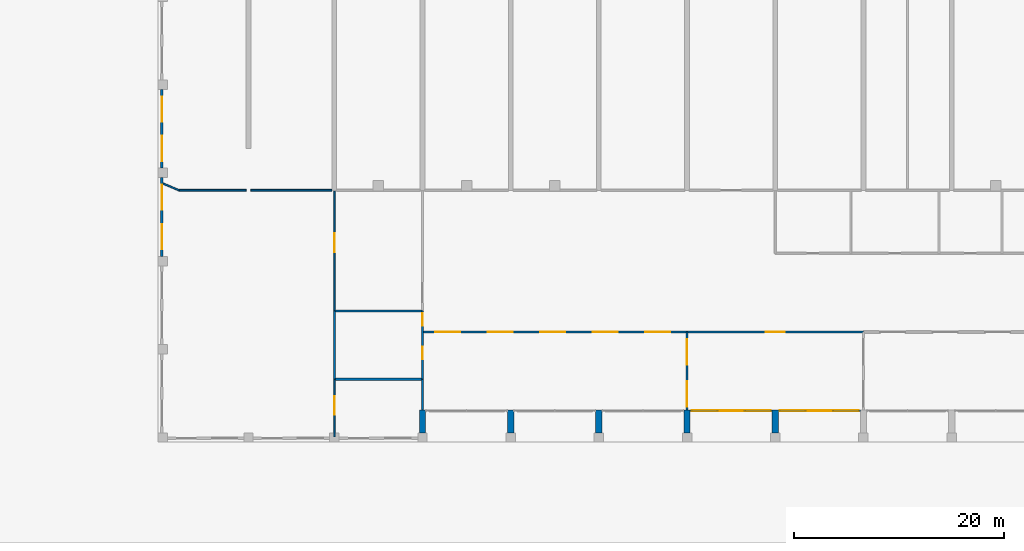
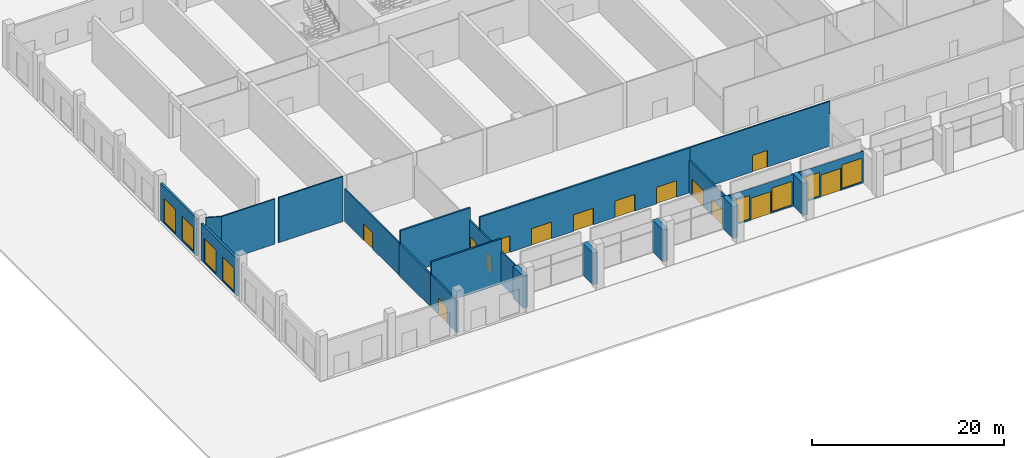
# One storey, part 7 of 20: 22 walls, 14 doors, 8 windows, 22 openings.
"""IFC4 building model written with IfcOpenShell, lengths in metres."""

from ifc_helpers import new_model, si_unit, direction, frame, frame_2d, origin, place, context, subcontext, project, spatial, rectangle, extrude, source, transform, mapped, material, layer, layer_set, type_object, element, fill, save


model = new_model("IFC4")

# Units and contexts
model_context = context("Model", 3, precision=1e-05, world=origin(), true_north=direction((0.0, 1.0)))
body_context = subcontext(model_context, "Body", "Model", "MODEL_VIEW")
ifc_project = project(units=[si_unit("LENGTHUNIT", "METRE"), si_unit("AREAUNIT", "SQUARE_METRE"), si_unit("VOLUMEUNIT", "CUBIC_METRE"), si_unit("PLANEANGLEUNIT", "RADIAN"), si_unit("MASSUNIT", "GRAM", prefix="KILO")], contexts=[model_context])

# Site, building, storey
site_placement = place(None, origin())
site = spatial("IfcSite", under=ifc_project, at=site_placement, CompositionType="ELEMENT")
building_placement = place(site_placement, origin())
building = spatial("IfcBuilding", under=site, at=building_placement, Name="Vanashikhar Sky Hotel", CompositionType="ELEMENT")
storey_placement = place(building_placement, origin())
storey = spatial("IfcBuildingStorey", under=building, at=storey_placement, Name="L00", CompositionType="ELEMENT", Elevation=0.0)

# Wall, openings, windows
ifc_material_1 = material(Name="Concrete M50", Category="concrete")
ifc_layer_1 = layer(ifc_material_1, 0.25)
ifc_layer_set_1 = layer_set([ifc_layer_1], Name="Rear and end board-marked wall 250")
wall_type_1 = type_object("IfcWallType", Name="Rear and end board-marked wall 250", PredefinedType="SOLIDWALL", material=ifc_layer_set_1)
shared_shape_1 = source(origin(), body_context, "Body", "SweptSolid", [
    extrude(rectangle(XDim=7.5, YDim=0.25, at=frame_2d((3.75, 0.0))), origin(), (0.0, 0.0, 1.0), 4.719970703125),
])
wall_1_placement = place(storey_placement, frame((-8.02490234375, 9.60009765625, 0.0), z_axis=(0.0, 0.0, 1.0), x_axis=(0.0, -1.0, 0.0)))
wall_1 = element("IfcWall", 1, at=wall_1_placement, inside=storey, type_object=wall_type_1, Name="Podium external wall", PredefinedType="SOLIDWALL", context=body_context, shape_type="MappedRepresentation", body=[
    mapped(shared_shape_1, transform((0.0, 0.0, 0.0), scale=1.0)),
])
shared_shape_2 = source(origin(), body_context, "Body", "SweptSolid", [
    extrude(rectangle(XDim=2.39990234375, YDim=3.0, at=frame_2d((1.199951171875, 1.5))), frame((0.0, 0.135009765625, 0.0), z_axis=(0.0, -1.0, 0.0), x_axis=(1.0, 0.0, 0.0)), (0.0, 0.0, 1.0), 0.27001953125),
])
opening_1_placement = place(wall_1_placement, frame((0.675048828125, 0.0, 0.199951171875)))
opening_1 = element("IfcOpeningElement", 2, at=opening_1_placement, cuts=wall_1, Name="Opening WN-5", PredefinedType="OPENING", context=body_context, shape_type="MappedRepresentation", body=[
    mapped(shared_shape_2, transform((0.0, 0.0, 0.0), scale=1.0)),
])
opening_2_placement = place(wall_1_placement, frame((4.425048828125, 0.0, 0.199951171875)))
opening_2 = element("IfcOpeningElement", 3, at=opening_2_placement, cuts=wall_1, Name="Opening WN-5", PredefinedType="OPENING", context=body_context, shape_type="MappedRepresentation", body=[
    mapped(shared_shape_2, transform((0.0, 0.0, 0.0), scale=1.0)),
])
ifc_material_2 = material(Name="Glass", Category="glass")
window_type = type_object("IfcWindowType", Name="Shopfront window 2400 x 3000", PartitioningType="SINGLE_PANEL", PredefinedType="WINDOW", material=ifc_material_2)
shared_shape_3 = source(origin(), body_context, "Body", "SweptSolid", [
    extrude(rectangle(XDim=2.39990234375, YDim=3.0, at=frame_2d((1.199951171875, 1.5))), frame((0.0, 0.030029296875, 0.0), z_axis=(0.0, -1.0, 0.0), x_axis=(1.0, 0.0, 0.0)), (0.0, 0.0, 1.0), 0.06005859375),
])
window_1_placement = place(opening_1_placement, origin())
window_1 = element("IfcWindow", 4, at=window_1_placement, inside=storey, type_object=window_type, Name="Window WN-5", OverallHeight=3.0, OverallWidth=2.39990234375, PartitioningType="SINGLE_PANEL", PredefinedType="WINDOW", context=body_context, shape_type="MappedRepresentation", body=[
    mapped(shared_shape_3, transform((0.0, 0.0, 0.0), scale=1.0)),
])
fill(opening_1, window_1)
window_2_placement = place(opening_2_placement, origin())
window_2 = element("IfcWindow", 5, at=window_2_placement, inside=storey, type_object=window_type, Name="Window WN-5", OverallHeight=3.0, OverallWidth=2.39990234375, PartitioningType="SINGLE_PANEL", PredefinedType="WINDOW", context=body_context, shape_type="MappedRepresentation", body=[
    mapped(shared_shape_3, transform((0.0, 0.0, 0.0), scale=1.0)),
])
fill(opening_2, window_2)

wall_2_placement = place(storey_placement, frame((-8.02490234375, 1.199951171875, 0.0), z_axis=(0.0, 0.0, 1.0), x_axis=(0.0, -1.0, 0.0)))
wall_2 = element("IfcWall", 6, at=wall_2_placement, inside=storey, type_object=wall_type_1, Name="Podium external wall", PredefinedType="SOLIDWALL", context=body_context, shape_type="MappedRepresentation", body=[
    mapped(shared_shape_1, transform((0.0, 0.0, 0.0), scale=1.0)),
])
opening_3_placement = place(wall_2_placement, frame((0.675048828125, 0.0, 0.199951171875)))
opening_3 = element("IfcOpeningElement", 7, at=opening_3_placement, cuts=wall_2, Name="Opening WN-5", PredefinedType="OPENING", context=body_context, shape_type="MappedRepresentation", body=[
    mapped(shared_shape_2, transform((0.0, 0.0, 0.0), scale=1.0)),
])
opening_4_placement = place(wall_2_placement, frame((4.425048828125, 0.0, 0.199951171875)))
opening_4 = element("IfcOpeningElement", 8, at=opening_4_placement, cuts=wall_2, Name="Opening WN-5", PredefinedType="OPENING", context=body_context, shape_type="MappedRepresentation", body=[
    mapped(shared_shape_2, transform((0.0, 0.0, 0.0), scale=1.0)),
])
window_3_placement = place(opening_3_placement, origin())
window_3 = element("IfcWindow", 9, at=window_3_placement, inside=storey, type_object=window_type, Name="Window WN-5", OverallHeight=3.0, OverallWidth=2.39990234375, PartitioningType="SINGLE_PANEL", PredefinedType="WINDOW", context=body_context, shape_type="MappedRepresentation", body=[
    mapped(shared_shape_3, transform((0.0, 0.0, 0.0), scale=1.0)),
])
fill(opening_3, window_3)
window_4_placement = place(opening_4_placement, origin())
window_4 = element("IfcWindow", 10, at=window_4_placement, inside=storey, type_object=window_type, Name="Window WN-5", OverallHeight=3.0, OverallWidth=2.39990234375, PartitioningType="SINGLE_PANEL", PredefinedType="WINDOW", context=body_context, shape_type="MappedRepresentation", body=[
    mapped(shared_shape_3, transform((0.0, 0.0, 0.0), scale=1.0)),
])
fill(opening_4, window_4)

# Walls
ifc_layer_2 = layer(ifc_material_1, 0.60009765625)
ifc_layer_set_2 = layer_set([ifc_layer_2], Name="Entrance pier 600")
wall_type_2 = type_object("IfcWallType", Name="Entrance pier 600", PredefinedType="SOLIDWALL", material=ifc_layer_set_2)
shared_shape_4 = source(origin(), body_context, "Body", "SweptSolid", [
    extrude(rectangle(XDim=2.18017578125, YDim=0.60009765625, at=frame_2d((1.090087890625, 0.0))), origin(), (0.0, 0.0, 1.0), 4.050048828125),
])
for number, where, z_axis, x_axis, name in (
    (11, (16.800048828125, -23.10009765625, 0.0), (0.0, 0.0, 1.0), (0.0, 1.0, 0.0), "Entrance pier"),
    (12, (25.199951171875, -23.10009765625, 0.0), (0.0, 0.0, 1.0), (0.0, 1.0, 0.0), "Entrance pier"),
    (13, (33.60009765625, -23.10009765625, 0.0), (0.0, 0.0, 1.0), (0.0, 1.0, 0.0), "Entrance pier"),
    (14, (42.0, -23.10009765625, 0.0), (0.0, 0.0, 1.0), (0.0, 1.0, 0.0), "Entrance pier"),
    (15, (50.39990234375, -23.10009765625, 0.0), (0.0, 0.0, 1.0), (0.0, 1.0, 0.0), "Entrance pier"),
):
    element("IfcWall", number, at=place(storey_placement, frame(where, z_axis=z_axis, x_axis=x_axis)), inside=storey, type_object=wall_type_2, Name=name, PredefinedType="SOLIDWALL", context=body_context, shape_type="MappedRepresentation", body=[
        mapped(shared_shape_4, transform((0.0, 0.0, 0.0), scale=1.0)),
    ])

# Wall, openings, windows, door
ifc_material_3 = material(Name="Aluminium", Category="aluminium")
ifc_layer_3 = layer(ifc_material_3, 0.14990234375)
ifc_layer_set_3 = layer_set([ifc_layer_3], Name="Glazed entrance screen 150")
wall_type_3 = type_object("IfcWallType", Name="Glazed entrance screen 150", PredefinedType="SOLIDWALL", material=ifc_layer_set_3)
shared_shape_5 = source(origin(), body_context, "Body", "SweptSolid", [
    extrude(rectangle(XDim=7.800048828125, YDim=0.14990234375, at=frame_2d((3.89990234375, 0.0))), origin(), (0.0, 0.0, 1.0), 4.050048828125),
])
wall_3_placement = place(storey_placement, frame((42.300048828125, -21.0, 0.0), z_axis=(0.0, 0.0, 1.0), x_axis=(1.0, 0.0, 0.0)))
wall_3 = element("IfcWall", 16, at=wall_3_placement, inside=storey, type_object=wall_type_3, Name="Glazed entrance screen", PredefinedType="SOLIDWALL", context=body_context, shape_type="MappedRepresentation", body=[
    mapped(shared_shape_5, transform((0.0, 0.0, 0.0), scale=1.0)),
])
shared_shape_6 = source(origin(), body_context, "Body", "SweptSolid", [
    extrude(rectangle(XDim=2.39990234375, YDim=2.800048828125, at=frame_2d((1.199951171875, 1.39990234375))), frame((0.0, 0.0849609375, 0.0), z_axis=(0.0, -1.0, 0.0), x_axis=(1.0, 0.0, 0.0)), (0.0, 0.0, 1.0), 0.169921875),
])
opening_5_placement = place(wall_3_placement, frame((2.699951171875, 0.0, 0.0)))
opening_5 = element("IfcOpeningElement", 17, at=opening_5_placement, cuts=wall_3, Name="Opening DX-1-005", PredefinedType="OPENING", context=body_context, shape_type="MappedRepresentation", body=[
    mapped(shared_shape_6, transform((0.0, 0.0, 0.0), scale=1.0)),
])
shared_shape_7 = source(origin(), body_context, "Body", "SweptSolid", [
    extrude(rectangle(XDim=2.39990234375, YDim=3.0, at=frame_2d((1.199951171875, 1.5))), frame((0.0, 0.0849609375, 0.0), z_axis=(0.0, -1.0, 0.0), x_axis=(1.0, 0.0, 0.0)), (0.0, 0.0, 1.0), 0.169921875),
])
opening_6_placement = place(wall_3_placement, frame((0.14990234375, 0.0, 0.199951171875)))
opening_6 = element("IfcOpeningElement", 18, at=opening_6_placement, cuts=wall_3, Name="Opening WN-5", PredefinedType="OPENING", context=body_context, shape_type="MappedRepresentation", body=[
    mapped(shared_shape_7, transform((0.0, 0.0, 0.0), scale=1.0)),
])
opening_7_placement = place(wall_3_placement, frame((5.25, 0.0, 0.199951171875)))
opening_7 = element("IfcOpeningElement", 19, at=opening_7_placement, cuts=wall_3, Name="Opening WN-5", PredefinedType="OPENING", context=body_context, shape_type="MappedRepresentation", body=[
    mapped(shared_shape_7, transform((0.0, 0.0, 0.0), scale=1.0)),
])
window_5_placement = place(opening_6_placement, origin())
window_5 = element("IfcWindow", 20, at=window_5_placement, inside=storey, type_object=window_type, Name="Window WN-5", OverallHeight=3.0, OverallWidth=2.39990234375, PartitioningType="SINGLE_PANEL", PredefinedType="WINDOW", context=body_context, shape_type="MappedRepresentation", body=[
    mapped(shared_shape_3, transform((0.0, 0.0, 0.0), scale=1.0)),
])
fill(opening_6, window_5)
window_6_placement = place(opening_7_placement, origin())
window_6 = element("IfcWindow", 21, at=window_6_placement, inside=storey, type_object=window_type, Name="Window WN-5", OverallHeight=3.0, OverallWidth=2.39990234375, PartitioningType="SINGLE_PANEL", PredefinedType="WINDOW", context=body_context, shape_type="MappedRepresentation", body=[
    mapped(shared_shape_3, transform((0.0, 0.0, 0.0), scale=1.0)),
])
fill(opening_7, window_6)
door_type_1 = type_object("IfcDoorType", Name="Entrance double door 2400 x 2800", OperationType="NOTDEFINED", PredefinedType="DOOR", material=ifc_material_3)
shared_shape_8 = source(origin(), body_context, "Body", "SweptSolid", [
    extrude(rectangle(XDim=2.39990234375, YDim=2.800048828125, at=frame_2d((1.199951171875, 1.39990234375))), frame((0.0, 0.02490234375, 0.0), z_axis=(0.0, -1.0, 0.0), x_axis=(1.0, 0.0, 0.0)), (0.0, 0.0, 1.0), 0.050048828125),
])
door_1_placement = place(opening_5_placement, origin())
door_1 = element("IfcDoor", 22, at=door_1_placement, inside=storey, type_object=door_type_1, Name="Entrance double door", OperationType="DOUBLE_DOOR_SINGLE_SWING", OverallHeight=2.800048828125, OverallWidth=2.39990234375, PredefinedType="DOOR", context=body_context, shape_type="MappedRepresentation", body=[
    mapped(shared_shape_8, transform((0.0, 0.0, 0.0), scale=1.0)),
])
fill(opening_5, door_1)

wall_4_placement = place(storey_placement, frame((50.699951171875, -21.0, 0.0), z_axis=(0.0, 0.0, 1.0), x_axis=(1.0, 0.0, 0.0)))
wall_4 = element("IfcWall", 23, at=wall_4_placement, inside=storey, type_object=wall_type_3, Name="Glazed entrance screen", PredefinedType="SOLIDWALL", context=body_context, shape_type="MappedRepresentation", body=[
    mapped(shared_shape_5, transform((0.0, 0.0, 0.0), scale=1.0)),
])
opening_8_placement = place(wall_4_placement, frame((2.699951171875, 0.0, 0.0)))
opening_8 = element("IfcOpeningElement", 24, at=opening_8_placement, cuts=wall_4, Name="Opening DX-1-006", PredefinedType="OPENING", context=body_context, shape_type="MappedRepresentation", body=[
    mapped(shared_shape_6, transform((0.0, 0.0, 0.0), scale=1.0)),
])
opening_9_placement = place(wall_4_placement, frame((0.14990234375, 0.0, 0.199951171875)))
opening_9 = element("IfcOpeningElement", 25, at=opening_9_placement, cuts=wall_4, Name="Opening WN-5", PredefinedType="OPENING", context=body_context, shape_type="MappedRepresentation", body=[
    mapped(shared_shape_7, transform((0.0, 0.0, 0.0), scale=1.0)),
])
opening_10_placement = place(wall_4_placement, frame((5.25, 0.0, 0.199951171875)))
opening_10 = element("IfcOpeningElement", 26, at=opening_10_placement, cuts=wall_4, Name="Opening WN-5", PredefinedType="OPENING", context=body_context, shape_type="MappedRepresentation", body=[
    mapped(shared_shape_7, transform((0.0, 0.0, 0.0), scale=1.0)),
])
window_7_placement = place(opening_9_placement, origin())
window_7 = element("IfcWindow", 27, at=window_7_placement, inside=storey, type_object=window_type, Name="Window WN-5", OverallHeight=3.0, OverallWidth=2.39990234375, PartitioningType="SINGLE_PANEL", PredefinedType="WINDOW", context=body_context, shape_type="MappedRepresentation", body=[
    mapped(shared_shape_3, transform((0.0, 0.0, 0.0), scale=1.0)),
])
fill(opening_9, window_7)
window_8_placement = place(opening_10_placement, origin())
window_8 = element("IfcWindow", 28, at=window_8_placement, inside=storey, type_object=window_type, Name="Window WN-5", OverallHeight=3.0, OverallWidth=2.39990234375, PartitioningType="SINGLE_PANEL", PredefinedType="WINDOW", context=body_context, shape_type="MappedRepresentation", body=[
    mapped(shared_shape_3, transform((0.0, 0.0, 0.0), scale=1.0)),
])
fill(opening_10, window_8)
door_2_placement = place(opening_8_placement, origin())
door_2 = element("IfcDoor", 29, at=door_2_placement, inside=storey, type_object=door_type_1, Name="Entrance double door", OperationType="DOUBLE_DOOR_SINGLE_SWING", OverallHeight=2.800048828125, OverallWidth=2.39990234375, PredefinedType="DOOR", context=body_context, shape_type="MappedRepresentation", body=[
    mapped(shared_shape_8, transform((0.0, 0.0, 0.0), scale=1.0)),
])
fill(opening_8, door_2)

# Wall
ifc_material_4 = material(Name="Gypsum plasterboard partition")
ifc_layer_4 = layer(ifc_material_4, 0.14990234375)
ifc_layer_set_4 = layer_set([ifc_layer_4], Name="Corridor and demising partition 150")
wall_type_4 = type_object("IfcWallType", Name="Corridor and demising partition 150", PredefinedType="PARTITIONING", material=ifc_layer_set_4)
shared_shape_9 = source(origin(), body_context, "Body", "SweptSolid", [
    extrude(rectangle(XDim=7.72509765625, YDim=0.14990234375, at=frame_2d((3.862548828125, 0.0))), origin(), (0.0, 0.0, 1.0), 5.719970703125),
])
wall_5_placement = place(storey_placement, frame((0.449951171875, 0.0, 0.0), z_axis=(0.0, 0.0, 1.0), x_axis=(1.0, 0.0, 0.0)))
element("IfcWall", 30, at=wall_5_placement, inside=storey, type_object=wall_type_4, Name="W-L00-PW002", PredefinedType="PARTITIONING", context=body_context, shape_type="MappedRepresentation", body=[
    mapped(shared_shape_9, transform((0.0, 0.0, 0.0), scale=1.0)),
])

# Wall, opening, door
shared_shape_10 = source(origin(), body_context, "Body", "SweptSolid", [
    extrude(rectangle(XDim=5.5, YDim=0.14990234375, at=frame_2d((2.75, 0.0))), origin(), (0.0, 0.0, 1.0), 4.1201171875),
])
wall_6_placement = place(storey_placement, frame((8.39990234375, -23.5, 0.0), z_axis=(0.0, 0.0, 1.0), x_axis=(0.0, 1.0, 0.0)))
wall_6 = element("IfcWall", 31, at=wall_6_placement, inside=storey, type_object=wall_type_4, Name="W-L00-PW027", PredefinedType="PARTITIONING", context=body_context, shape_type="MappedRepresentation", body=[
    mapped(shared_shape_10, transform((0.0, 0.0, 0.0), scale=1.0)),
])
shared_shape_11 = source(origin(), body_context, "Body", "SweptSolid", [
    extrude(rectangle(XDim=1.800048828125, YDim=2.10009765625, at=frame_2d((0.89990234375, 1.050048828125))), frame((0.0, 0.0849609375, 0.0), z_axis=(0.0, -1.0, 0.0), x_axis=(1.0, 0.0, 0.0)), (0.0, 0.0, 1.0), 0.169921875),
])
opening_11_placement = place(wall_6_placement, frame((2.10009765625, 0.0, 0.0)))
opening_11 = element("IfcOpeningElement", 32, at=opening_11_placement, cuts=wall_6, Name="Opening D-03", PredefinedType="OPENING", context=body_context, shape_type="MappedRepresentation", body=[
    mapped(shared_shape_11, transform((0.0, 0.0, 0.0), scale=1.0)),
])
ifc_material_5 = material(Name="Timber fire door", Category="wood")
door_type_2 = type_object("IfcDoorType", Name="Double leaf door 1800 FD30S", OperationType="NOTDEFINED", PredefinedType="DOOR", material=ifc_material_5)
shared_shape_12 = source(origin(), body_context, "Body", "SweptSolid", [
    extrude(rectangle(XDim=1.800048828125, YDim=2.10009765625, at=frame_2d((0.89990234375, 1.050048828125))), frame((0.0, 0.02490234375, 0.0), z_axis=(0.0, -1.0, 0.0), x_axis=(1.0, 0.0, 0.0)), (0.0, 0.0, 1.0), 0.050048828125),
])
door_3_placement = place(opening_11_placement, origin())
door_3 = element("IfcDoor", 33, at=door_3_placement, inside=storey, type_object=door_type_2, Name="D-L00-015", OperationType="DOUBLE_DOOR_SINGLE_SWING", OverallHeight=2.10009765625, OverallWidth=1.800048828125, PredefinedType="DOOR", context=body_context, shape_type="MappedRepresentation", body=[
    mapped(shared_shape_12, transform((0.0, 0.0, 0.0), scale=1.0)),
])
fill(opening_11, door_3)

# Wall
ifc_material_6 = material(Name="Masonry partition", Category="masonry")
ifc_layer_5 = layer(ifc_material_6, 0.199951171875)
ifc_layer_set_5 = layer_set([ifc_layer_5], Name="Refuge enclosure wall 200")
wall_type_5 = type_object("IfcWallType", Name="Refuge enclosure wall 200", PredefinedType="PARTITIONING", material=ifc_layer_set_5)
shared_shape_13 = source(origin(), body_context, "Body", "SweptSolid", [
    extrude(rectangle(XDim=6.5, YDim=0.199951171875, at=frame_2d((3.25, 0.0))), origin(), (0.0, 0.0, 1.0), 4.1201171875),
])
wall_7_placement = place(storey_placement, frame((8.39990234375, -18.0, 0.0), z_axis=(0.0, 0.0, 1.0), x_axis=(0.0, 1.0, 0.0)))
element("IfcWall", 34, at=wall_7_placement, inside=storey, type_object=wall_type_5, Name="W-L00-PW028", PredefinedType="PARTITIONING", context=body_context, shape_type="MappedRepresentation", body=[
    mapped(shared_shape_13, transform((0.0, 0.0, 0.0), scale=1.0)),
])

# Wall, openings, doors
wall_8_placement = place(storey_placement, frame((16.800048828125, -18.0, 0.0), z_axis=(0.0, 0.0, 1.0), x_axis=(0.0, 1.0, 0.0)))
wall_8 = element("IfcWall", 35, at=wall_8_placement, inside=storey, type_object=wall_type_5, Name="W-L00-PW031", PredefinedType="PARTITIONING", context=body_context, shape_type="MappedRepresentation", body=[
    mapped(shared_shape_13, transform((0.0, 0.0, 0.0), scale=1.0)),
])
shared_shape_14 = source(origin(), body_context, "Body", "SweptSolid", [
    extrude(rectangle(XDim=1.199951171875, YDim=2.10009765625, at=frame_2d((0.60009765625, 1.050048828125))), frame((0.0, 0.10986328125, 0.0), z_axis=(0.0, -1.0, 0.0), x_axis=(1.0, 0.0, 0.0)), (0.0, 0.0, 1.0), 0.219970703125),
])
opening_12_placement = place(wall_8_placement, frame((1.89990234375, 0.0, 0.0)))
opening_12 = element("IfcOpeningElement", 36, at=opening_12_placement, cuts=wall_8, Name="Opening D-06", PredefinedType="OPENING", context=body_context, shape_type="MappedRepresentation", body=[
    mapped(shared_shape_14, transform((0.0, 0.0, 0.0), scale=1.0)),
])
opening_13_placement = place(wall_8_placement, frame((5.10009765625, 0.0, 0.0)))
opening_13 = element("IfcOpeningElement", 37, at=opening_13_placement, cuts=wall_8, Name="Opening D-06", PredefinedType="OPENING", context=body_context, shape_type="MappedRepresentation", body=[
    mapped(shared_shape_14, transform((0.0, 0.0, 0.0), scale=1.0)),
])
ifc_material_7 = material(Name="Steel fire door", Category="steel")
door_type_3 = type_object("IfcDoorType", Name="Fire door 1200 FD120", OperationType="NOTDEFINED", PredefinedType="DOOR", material=ifc_material_7)
shared_shape_15 = source(origin(), body_context, "Body", "SweptSolid", [
    extrude(rectangle(XDim=1.199951171875, YDim=2.10009765625, at=frame_2d((0.60009765625, 1.050048828125))), frame((0.0, 0.02490234375, 0.0), z_axis=(0.0, -1.0, 0.0), x_axis=(1.0, 0.0, 0.0)), (0.0, 0.0, 1.0), 0.050048828125),
])
door_4_placement = place(opening_12_placement, origin())
door_4 = element("IfcDoor", 38, at=door_4_placement, inside=storey, type_object=door_type_3, Name="D-L00-017", OperationType="SINGLE_SWING_LEFT", OverallHeight=2.10009765625, OverallWidth=1.199951171875, PredefinedType="DOOR", context=body_context, shape_type="MappedRepresentation", body=[
    mapped(shared_shape_15, transform((0.0, 0.0, 0.0), scale=1.0)),
])
fill(opening_12, door_4)
door_5_placement = place(opening_13_placement, origin())
door_5 = element("IfcDoor", 39, at=door_5_placement, inside=storey, type_object=door_type_3, Name="D-L00-018", OperationType="SINGLE_SWING_RIGHT", OverallHeight=2.10009765625, OverallWidth=1.199951171875, PredefinedType="DOOR", context=body_context, shape_type="MappedRepresentation", body=[
    mapped(shared_shape_15, transform((0.0, 0.0, 0.0), scale=1.0)),
])
fill(opening_13, door_5)

# Wall, opening, door
shared_shape_16 = source(origin(), body_context, "Body", "SweptSolid", [
    extrude(rectangle(XDim=11.425048828125, YDim=0.14990234375, at=frame_2d((5.71240234375, 0.0))), origin(), (0.0, 0.0, 1.0), 4.1201171875),
])
wall_9_placement = place(storey_placement, frame((8.39990234375, -11.5, 0.0), z_axis=(0.0, 0.0, 1.0), x_axis=(0.0, 1.0, 0.0)))
wall_9 = element("IfcWall", 40, at=wall_9_placement, inside=storey, type_object=wall_type_4, Name="W-L00-PW029", PredefinedType="PARTITIONING", context=body_context, shape_type="MappedRepresentation", body=[
    mapped(shared_shape_16, transform((0.0, 0.0, 0.0), scale=1.0)),
])
opening_14_placement = place(wall_9_placement, frame((5.60009765625, 0.0, 0.0)))
opening_14 = element("IfcOpeningElement", 41, at=opening_14_placement, cuts=wall_9, Name="Opening D-03", PredefinedType="OPENING", context=body_context, shape_type="MappedRepresentation", body=[
    mapped(shared_shape_11, transform((0.0, 0.0, 0.0), scale=1.0)),
])
door_6_placement = place(opening_14_placement, origin())
door_6 = element("IfcDoor", 42, at=door_6_placement, inside=storey, type_object=door_type_2, Name="D-L00-016", OperationType="DOUBLE_DOOR_SINGLE_SWING", OverallHeight=2.10009765625, OverallWidth=1.800048828125, PredefinedType="DOOR", context=body_context, shape_type="MappedRepresentation", body=[
    mapped(shared_shape_12, transform((0.0, 0.0, 0.0), scale=1.0)),
])
fill(opening_14, door_6)

# Walls
shared_shape_17 = source(origin(), body_context, "Body", "SweptSolid", [
    extrude(rectangle(XDim=2.919921875, YDim=0.14990234375, at=frame_2d((1.4599609375, 0.0))), origin(), (0.0, 0.0, 1.0), 4.1201171875),
])
wall_10_placement = place(storey_placement, frame((16.800048828125, -20.919921875, 0.0), z_axis=(0.0, 0.0, 1.0), x_axis=(0.0, 1.0, 0.0)))
element("IfcWall", 43, at=wall_10_placement, inside=storey, type_object=wall_type_4, Name="W-L00-PW030", PredefinedType="PARTITIONING", context=body_context, shape_type="MappedRepresentation", body=[
    mapped(shared_shape_17, transform((0.0, 0.0, 0.0), scale=1.0)),
])
shared_shape_18 = source(origin(), body_context, "Body", "SweptSolid", [
    extrude(rectangle(XDim=8.400146484375, YDim=0.199951171875, at=frame_2d((4.2001953125, 0.0))), origin(), (0.0, 0.0, 1.0), 5.719970703125),
])
for number, where, z_axis, x_axis, name in (
    (44, (8.39990234375, -18.0, 0.0), (0.0, 0.0, 1.0), (1.0, 0.0, 0.0), "W-L00-PW032"),
    (45, (8.39990234375, -11.5, 0.0), (0.0, 0.0, 1.0), (1.0, 0.0, 0.0), "W-L00-PW033"),
):
    element("IfcWall", number, at=place(storey_placement, frame(where, z_axis=z_axis, x_axis=x_axis)), inside=storey, type_object=wall_type_5, Name=name, PredefinedType="PARTITIONING", context=body_context, shape_type="MappedRepresentation", body=[
        mapped(shared_shape_18, transform((0.0, 0.0, 0.0), scale=1.0)),
    ])

# Wall, openings, doors
ifc_material_8 = material(Name="Plastered blockwork", Category="masonry")
ifc_layer_6 = layer(ifc_material_8, 0.199951171875)
ifc_layer_set_6 = layer_set([ifc_layer_6], Name="Lobby front wall 200")
wall_type_6 = type_object("IfcWallType", Name="Lobby front wall 200", PredefinedType="PARTITIONING", material=ifc_layer_set_6)
shared_shape_19 = source(origin(), body_context, "Body", "SweptSolid", [
    extrude(rectangle(XDim=25.199951171875, YDim=0.199951171875, at=frame_2d((12.60009765625, 0.0))), origin(), (0.0, 0.0, 1.0), 5.719970703125),
])
wall_11_placement = place(storey_placement, frame((16.800048828125, -13.5, 0.0), z_axis=(0.0, 0.0, 1.0), x_axis=(1.0, 0.0, 0.0)))
wall_11 = element("IfcWall", 46, at=wall_11_placement, inside=storey, type_object=wall_type_6, Name="W-L00-PW037", PredefinedType="PARTITIONING", context=body_context, shape_type="MappedRepresentation", body=[
    mapped(shared_shape_19, transform((0.0, 0.0, 0.0), scale=1.0)),
])
shared_shape_20 = source(origin(), body_context, "Body", "SweptSolid", [
    extrude(rectangle(XDim=2.39990234375, YDim=2.10009765625, at=frame_2d((1.199951171875, 1.050048828125))), frame((0.0, 0.10986328125, 0.0), z_axis=(0.0, -1.0, 0.0), x_axis=(1.0, 0.0, 0.0)), (0.0, 0.0, 1.0), 0.219970703125),
])
opening_15_placement = place(wall_11_placement, frame((1.199951171875, 0.0, 0.0)))
opening_15 = element("IfcOpeningElement", 47, at=opening_15_placement, cuts=wall_11, Name="Opening D-07", PredefinedType="OPENING", context=body_context, shape_type="MappedRepresentation", body=[
    mapped(shared_shape_20, transform((0.0, 0.0, 0.0), scale=1.0)),
])
opening_16_placement = place(wall_11_placement, frame((6.199951171875, 0.0, 0.0)))
opening_16 = element("IfcOpeningElement", 48, at=opening_16_placement, cuts=wall_11, Name="Opening D-07", PredefinedType="OPENING", context=body_context, shape_type="MappedRepresentation", body=[
    mapped(shared_shape_20, transform((0.0, 0.0, 0.0), scale=1.0)),
])
opening_17_placement = place(wall_11_placement, frame((11.199951171875, 0.0, 0.0)))
opening_17 = element("IfcOpeningElement", 49, at=opening_17_placement, cuts=wall_11, Name="Opening D-07", PredefinedType="OPENING", context=body_context, shape_type="MappedRepresentation", body=[
    mapped(shared_shape_20, transform((0.0, 0.0, 0.0), scale=1.0)),
])
opening_18_placement = place(wall_11_placement, frame((16.199951171875, 0.0, 0.0)))
opening_18 = element("IfcOpeningElement", 50, at=opening_18_placement, cuts=wall_11, Name="Opening D-07", PredefinedType="OPENING", context=body_context, shape_type="MappedRepresentation", body=[
    mapped(shared_shape_20, transform((0.0, 0.0, 0.0), scale=1.0)),
])
opening_19_placement = place(wall_11_placement, frame((21.199951171875, 0.0, 0.0)))
opening_19 = element("IfcOpeningElement", 51, at=opening_19_placement, cuts=wall_11, Name="Opening D-07", PredefinedType="OPENING", context=body_context, shape_type="MappedRepresentation", body=[
    mapped(shared_shape_20, transform((0.0, 0.0, 0.0), scale=1.0)),
])
ifc_material_9 = material(Name="Aluminium and glass", Category="aluminium")
door_type_4 = type_object("IfcDoorType", Name="Glazed entrance door 2400", OperationType="NOTDEFINED", PredefinedType="DOOR", material=ifc_material_9)
shared_shape_21 = source(origin(), body_context, "Body", "SweptSolid", [
    extrude(rectangle(XDim=2.39990234375, YDim=2.10009765625, at=frame_2d((1.199951171875, 1.050048828125))), frame((0.0, 0.02490234375, 0.0), z_axis=(0.0, -1.0, 0.0), x_axis=(1.0, 0.0, 0.0)), (0.0, 0.0, 1.0), 0.050048828125),
])
door_7_placement = place(opening_15_placement, origin())
door_7 = element("IfcDoor", 52, at=door_7_placement, inside=storey, type_object=door_type_4, Name="D-L00-022", OperationType="DOUBLE_DOOR_SINGLE_SWING", OverallHeight=2.10009765625, OverallWidth=2.39990234375, PredefinedType="DOOR", context=body_context, shape_type="MappedRepresentation", body=[
    mapped(shared_shape_21, transform((0.0, 0.0, 0.0), scale=1.0)),
])
fill(opening_15, door_7)
door_8_placement = place(opening_16_placement, origin())
door_8 = element("IfcDoor", 53, at=door_8_placement, inside=storey, type_object=door_type_4, Name="D-L00-023", OperationType="DOUBLE_DOOR_SINGLE_SWING", OverallHeight=2.10009765625, OverallWidth=2.39990234375, PredefinedType="DOOR", context=body_context, shape_type="MappedRepresentation", body=[
    mapped(shared_shape_21, transform((0.0, 0.0, 0.0), scale=1.0)),
])
fill(opening_16, door_8)
door_9_placement = place(opening_17_placement, origin())
door_9 = element("IfcDoor", 54, at=door_9_placement, inside=storey, type_object=door_type_4, Name="D-L00-024", OperationType="DOUBLE_DOOR_SINGLE_SWING", OverallHeight=2.10009765625, OverallWidth=2.39990234375, PredefinedType="DOOR", context=body_context, shape_type="MappedRepresentation", body=[
    mapped(shared_shape_21, transform((0.0, 0.0, 0.0), scale=1.0)),
])
fill(opening_17, door_9)
door_10_placement = place(opening_18_placement, origin())
door_10 = element("IfcDoor", 55, at=door_10_placement, inside=storey, type_object=door_type_4, Name="D-L00-025", OperationType="DOUBLE_DOOR_SINGLE_SWING", OverallHeight=2.10009765625, OverallWidth=2.39990234375, PredefinedType="DOOR", context=body_context, shape_type="MappedRepresentation", body=[
    mapped(shared_shape_21, transform((0.0, 0.0, 0.0), scale=1.0)),
])
fill(opening_18, door_10)
door_11_placement = place(opening_19_placement, origin())
door_11 = element("IfcDoor", 56, at=door_11_placement, inside=storey, type_object=door_type_4, Name="D-L00-026", OperationType="DOUBLE_DOOR_SINGLE_SWING", OverallHeight=2.10009765625, OverallWidth=2.39990234375, PredefinedType="DOOR", context=body_context, shape_type="MappedRepresentation", body=[
    mapped(shared_shape_21, transform((0.0, 0.0, 0.0), scale=1.0)),
])
fill(opening_19, door_11)

shared_shape_22 = source(origin(), body_context, "Body", "SweptSolid", [
    extrude(rectangle(XDim=7.419921875, YDim=0.199951171875, at=frame_2d((3.7099609375, 0.0))), origin(), (0.0, 0.0, 1.0), 4.1201171875),
])
wall_12_placement = place(storey_placement, frame((42.0, -20.919921875, 0.0), z_axis=(0.0, 0.0, 1.0), x_axis=(0.0, 1.0, 0.0)))
wall_12 = element("IfcWall", 57, at=wall_12_placement, inside=storey, type_object=wall_type_6, Name="W-L00-PW039", PredefinedType="PARTITIONING", context=body_context, shape_type="MappedRepresentation", body=[
    mapped(shared_shape_22, transform((0.0, 0.0, 0.0), scale=1.0)),
])
opening_20_placement = place(wall_12_placement, frame((0.320068359375, 0.0, 0.0)))
opening_20 = element("IfcOpeningElement", 58, at=opening_20_placement, cuts=wall_12, Name="Opening D-07", PredefinedType="OPENING", context=body_context, shape_type="MappedRepresentation", body=[
    mapped(shared_shape_20, transform((0.0, 0.0, 0.0), scale=1.0)),
])
opening_21_placement = place(wall_12_placement, frame((4.320068359375, 0.0, 0.0)))
opening_21 = element("IfcOpeningElement", 59, at=opening_21_placement, cuts=wall_12, Name="Opening D-07", PredefinedType="OPENING", context=body_context, shape_type="MappedRepresentation", body=[
    mapped(shared_shape_20, transform((0.0, 0.0, 0.0), scale=1.0)),
])
door_12_placement = place(opening_20_placement, origin())
door_12 = element("IfcDoor", 60, at=door_12_placement, inside=storey, type_object=door_type_4, Name="D-L00-032", OperationType="DOUBLE_DOOR_SINGLE_SWING", OverallHeight=2.10009765625, OverallWidth=2.39990234375, PredefinedType="DOOR", context=body_context, shape_type="MappedRepresentation", body=[
    mapped(shared_shape_21, transform((0.0, 0.0, 0.0), scale=1.0)),
])
fill(opening_20, door_12)
door_13_placement = place(opening_21_placement, origin())
door_13 = element("IfcDoor", 61, at=door_13_placement, inside=storey, type_object=door_type_4, Name="D-L00-033", OperationType="DOUBLE_DOOR_SINGLE_SWING", OverallHeight=2.10009765625, OverallWidth=2.39990234375, PredefinedType="DOOR", context=body_context, shape_type="MappedRepresentation", body=[
    mapped(shared_shape_21, transform((0.0, 0.0, 0.0), scale=1.0)),
])
fill(opening_21, door_13)

# Wall, opening, door
shared_shape_23 = source(origin(), body_context, "Body", "SweptSolid", [
    extrude(rectangle(XDim=16.800048828125, YDim=0.14990234375, at=frame_2d((8.39990234375, 0.0))), origin(), (0.0, 0.0, 1.0), 5.719970703125),
])
wall_13_placement = place(storey_placement, frame((42.0, -13.5, 0.0), z_axis=(0.0, 0.0, 1.0), x_axis=(1.0, 0.0, 0.0)))
wall_13 = element("IfcWall", 62, at=wall_13_placement, inside=storey, type_object=wall_type_4, Name="W-L00-PW041", PredefinedType="PARTITIONING", context=body_context, shape_type="MappedRepresentation", body=[
    mapped(shared_shape_23, transform((0.0, 0.0, 0.0), scale=1.0)),
])
opening_22_placement = place(wall_13_placement, frame((7.5, 0.0, 0.0)))
opening_22 = element("IfcOpeningElement", 63, at=opening_22_placement, cuts=wall_13, Name="Opening D-03", PredefinedType="OPENING", context=body_context, shape_type="MappedRepresentation", body=[
    mapped(shared_shape_11, transform((0.0, 0.0, 0.0), scale=1.0)),
])
door_14_placement = place(opening_22_placement, origin())
door_14 = element("IfcDoor", 64, at=door_14_placement, inside=storey, type_object=door_type_2, Name="D-L00-036", OperationType="DOUBLE_DOOR_SINGLE_SWING", OverallHeight=2.10009765625, OverallWidth=1.800048828125, PredefinedType="DOOR", context=body_context, shape_type="MappedRepresentation", body=[
    mapped(shared_shape_12, transform((0.0, 0.0, 0.0), scale=1.0)),
])
fill(opening_22, door_14)

# Walls
shared_shape_24 = source(origin(), body_context, "Body", "SweptSolid", [
    extrude(rectangle(XDim=6.39990234375, YDim=0.14990234375, at=frame_2d((3.199951171875, 0.0))), origin(), (0.0, 0.0, 1.0), 5.719970703125),
])
wall_14_placement = place(storey_placement, frame((-6.39990234375, 0.0, 0.0), z_axis=(0.0, 0.0, 1.0), x_axis=(1.0, 0.0, 0.0)))
element("IfcWall", 65, at=wall_14_placement, inside=storey, type_object=wall_type_4, Name="W-L00-PW047", PredefinedType="PARTITIONING", context=body_context, shape_type="MappedRepresentation", body=[
    mapped(shared_shape_24, transform((0.0, 0.0, 0.0), scale=1.0)),
])
shared_shape_25 = source(origin(), body_context, "Body", "SweptSolid", [
    extrude(rectangle(XDim=1.6328125, YDim=0.14990234375, at=frame_2d((0.81640625, 0.0))), origin(), (0.0, 0.0, 1.0), 5.719970703125),
])
wall_15_placement = place(storey_placement, frame((-7.89990234375, 0.64501953125, 0.0), z_axis=(0.0, 0.0, 1.0), x_axis=(0.918664846596, -0.395037845818, 0.0)))
element("IfcWall", 66, at=wall_15_placement, inside=storey, type_object=wall_type_4, Name="W-L00-PW047B0", PredefinedType="PARTITIONING", context=body_context, shape_type="MappedRepresentation", body=[
    mapped(shared_shape_25, transform((0.0, 0.0, 0.0), scale=1.0)),
])

save(model, "model.ifc")
